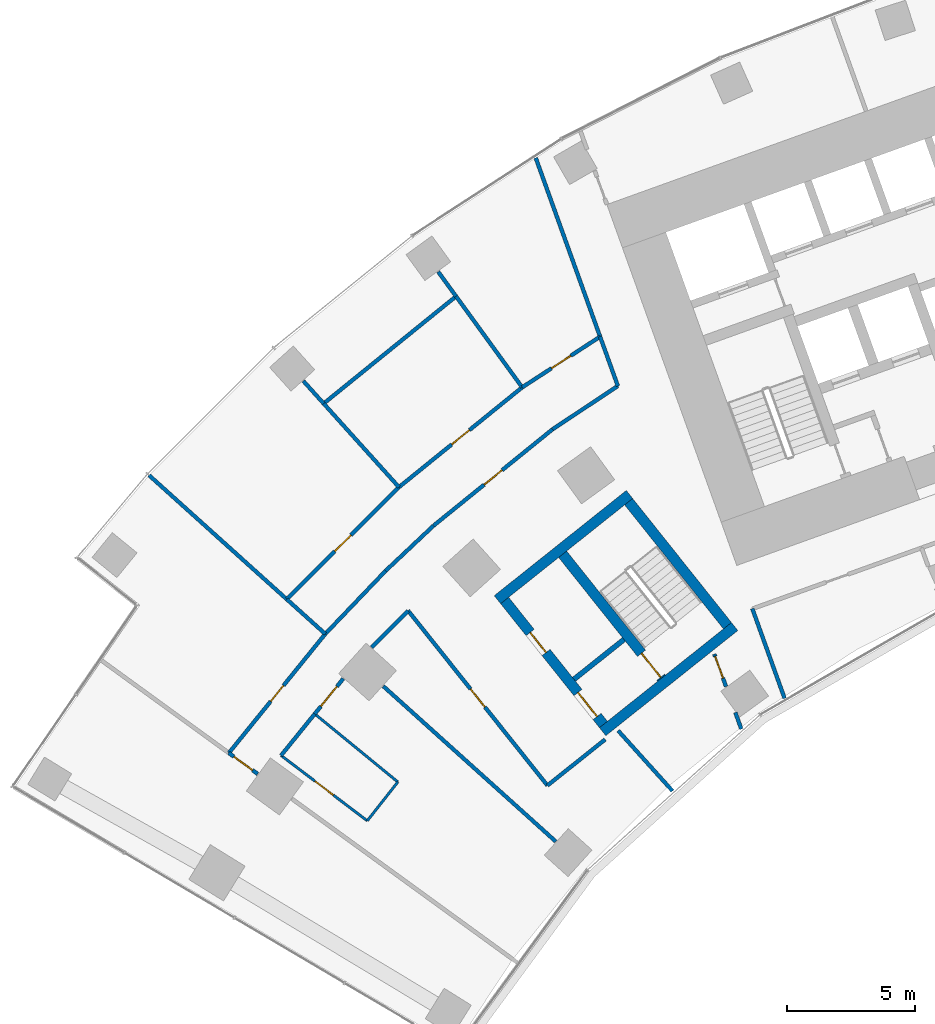
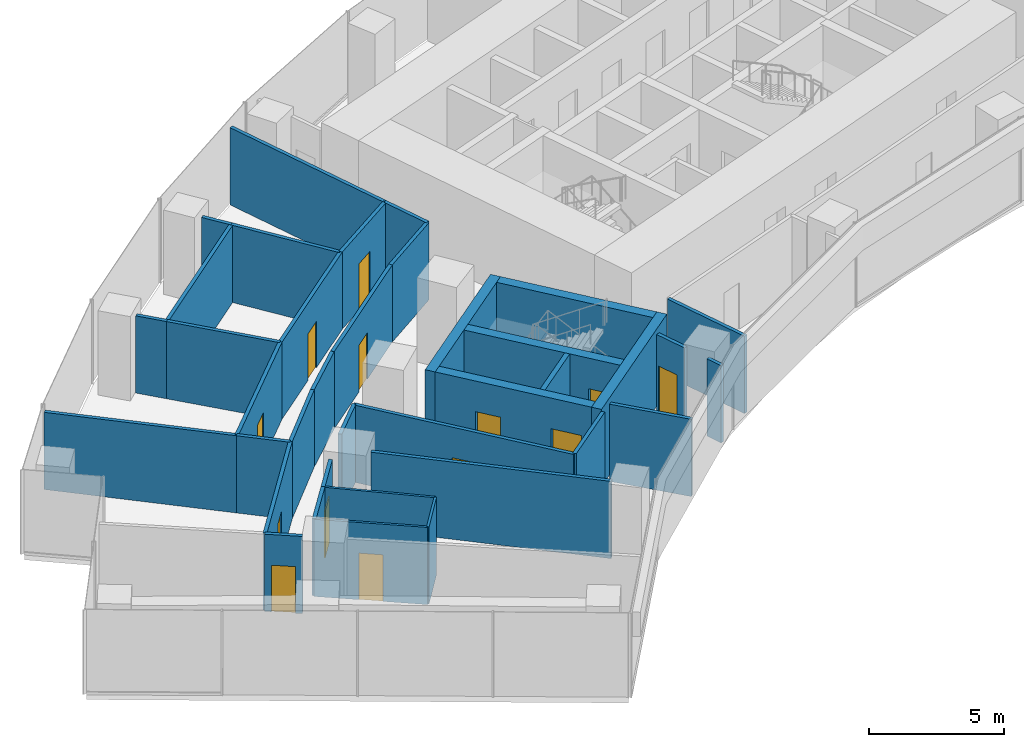
# One storey, part 14 of 21: 37 walls, 13 doors, 13 openings.
"""IFC4 building model written with IfcOpenShell, lengths in metres."""

from ifc_helpers import new_model, si_unit, direction, frame, frame_2d, origin, place, context, subcontext, project, spatial, rectangle, extrude, material, layer, layer_set, type_object, element, fill, save


model = new_model("IFC4")

# Units and contexts
model_context = context("Model", 3, precision=1e-05, world=origin(), true_north=direction((0.0, 1.0)))
body_context = subcontext(model_context, "Body", "Model", "MODEL_VIEW")
ifc_project = project(units=[si_unit("LENGTHUNIT", "METRE"), si_unit("AREAUNIT", "SQUARE_METRE"), si_unit("VOLUMEUNIT", "CUBIC_METRE"), si_unit("PLANEANGLEUNIT", "RADIAN"), si_unit("MASSUNIT", "GRAM", prefix="KILO")], contexts=[model_context])

# Site, building, storey
site_placement = place(None, origin())
site = spatial("IfcSite", under=ifc_project, at=site_placement, CompositionType="ELEMENT")
building_placement = place(site_placement, origin())
building = spatial("IfcBuilding", under=site, at=building_placement, Name="Stone Belt Terrace Tower", CompositionType="ELEMENT")
storey_placement = place(building_placement, frame((0.0, 0.0, 71.800048828125)))
storey = spatial("IfcBuildingStorey", under=building, at=storey_placement, Name="L17", CompositionType="ELEMENT", Elevation=71.800048828125)

# Wall, opening, door
ifc_material_1 = material(Name="Gypsum board partition")
ifc_layer_1 = layer(ifc_material_1, 0.10009765625)
ifc_layer_set_1 = layer_set([ifc_layer_1], Name="PARTITION 100")
wall_type_1 = type_object("IfcWallType", Name="PARTITION 100", PredefinedType="PARTITIONING", material=ifc_layer_set_1)
wall_1_placement = place(storey_placement, frame((-44.25390625, 33.5390625, 0.0), z_axis=(0.0, 0.0, 1.0), x_axis=(0.796975913628, -0.604011086899, 0.0)))
wall_1 = element("IfcWall", 1, at=wall_1_placement, inside=storey, type_object=wall_type_1, Name="L17/wall/i046", PredefinedType="PARTITIONING", context=body_context, shape_type="SweptSolid", body=[
    extrude(rectangle(XDim=4.228271484375, YDim=0.10009765625, at=frame_2d((2.1142578125, 0.0))), origin(), (0.0, 0.0, 1.0), 3.47998046875),
])
opening_1_placement = place(wall_1_placement, frame((1.664306640625, 0.0, 0.0)))
opening_1 = element("IfcOpeningElement", 2, at=opening_1_placement, cuts=wall_1, Name="Opening D-A5-13", PredefinedType="OPENING", context=body_context, shape_type="SweptSolid", body=[
    extrude(rectangle(XDim=0.89990234375, YDim=2.10009765625, at=frame_2d((0.449951171875, 1.050048828125))), frame((0.0, 0.06005859375, 0.0), z_axis=(0.0, -1.0, 0.0), x_axis=(1.0, 0.0, 0.0)), (0.0, 0.0, 1.0), 0.1201171875),
])
ifc_material_2 = material(Name="Timber door leaf", Category="wood")
door_type_1 = type_object("IfcDoorType", Name="OFFICE DOOR 900 X 2100", OperationType="NOTDEFINED", PredefinedType="DOOR", material=ifc_material_2)
door_1_placement = place(opening_1_placement, origin())
door_1 = element("IfcDoor", 3, at=door_1_placement, inside=storey, type_object=door_type_1, Name="L17/door/i13", OperationType="SINGLE_SWING_RIGHT", OverallHeight=2.10009765625, OverallWidth=0.89990234375, PredefinedType="DOOR", context=body_context, shape_type="SweptSolid", body=[
    extrude(rectangle(XDim=0.89990234375, YDim=2.10009765625, at=frame_2d((0.449951171875, 1.050048828125))), frame((0.0, 0.02490234375, 0.0), z_axis=(0.0, -1.0, 0.0), x_axis=(1.0, 0.0, 0.0)), (0.0, 0.0, 1.0), 0.050048828125),
])
fill(opening_1, door_1)

# Walls
wall_2_placement = place(storey_placement, frame((-40.884033203125, 30.985107421875, 0.0), z_axis=(0.0, 0.0, 1.0), x_axis=(0.618931278162, 0.785445143159, 0.0)))
element("IfcWall", 4, at=wall_2_placement, inside=storey, type_object=wall_type_1, Name="L17/wall/i047", PredefinedType="PARTITIONING", context=body_context, shape_type="SweptSolid", body=[
    extrude(rectangle(XDim=1.932373046875, YDim=0.10009765625, at=frame_2d((0.96630859375, 0.0))), origin(), (0.0, 0.0, 1.0), 3.47998046875),
])
wall_3_placement = place(storey_placement, frame((-39.68798828125, 32.5029296875, 0.0), z_axis=(0.0, 0.0, 1.0), x_axis=(-0.773605047101, 0.633668076441, 0.0)))
element("IfcWall", 5, at=wall_3_placement, inside=storey, type_object=wall_type_1, Name="L17/wall/i048", PredefinedType="PARTITIONING", context=body_context, shape_type="SweptSolid", body=[
    extrude(rectangle(XDim=4.201171875, YDim=0.10009765625, at=frame_2d((2.1005859375, 0.0))), origin(), (0.0, 0.0, 1.0), 3.47998046875),
])
ifc_layer_2 = layer(ifc_material_1, 0.14990234375)
ifc_layer_set_2 = layer_set([ifc_layer_2], Name="PARTITION 150 EI 60")
wall_type_2 = type_object("IfcWallType", Name="PARTITION 150 EI 60", PredefinedType="PARTITIONING", material=ifc_layer_set_2)
wall_4_placement = place(storey_placement, frame((-25.826904296875, 39.281005859375, 0.0), z_axis=(0.0, 0.0, 1.0), x_axis=(0.338392582605, -0.941005026574, 0.0)))
element("IfcWall", 6, at=wall_4_placement, inside=storey, type_object=wall_type_2, Name="L17/wall/i001", PredefinedType="PARTITIONING", context=body_context, shape_type="SweptSolid", body=[
    extrude(rectangle(XDim=3.729248046875, YDim=0.14990234375, at=frame_2d((1.86474609375, 0.0))), origin(), (0.0, 0.0, 1.0), 3.47998046875),
])
wall_5_placement = place(storey_placement, frame((-26.25732421875, 34.572021484375, 0.0), z_axis=(0.0, 0.0, 1.0), x_axis=(-0.338832657553, 0.940846656037, 0.0)))
element("IfcWall", 7, at=wall_5_placement, inside=storey, type_object=wall_type_2, Name="L17/wall/i004", PredefinedType="PARTITIONING", context=body_context, shape_type="SweptSolid", body=[
    extrude(rectangle(XDim=0.6875, YDim=0.14990234375, at=frame_2d((0.34375, 0.0))), origin(), (0.0, 0.0, 1.0), 3.47998046875),
])

# Wall, opening, door
wall_6_placement = place(storey_placement, frame((-26.85595703125, 36.234619140625, 0.0), z_axis=(0.0, 0.0, 1.0), x_axis=(-0.338828657155, 0.940848096714, 0.0)))
wall_6 = element("IfcWall", 8, at=wall_6_placement, inside=storey, type_object=wall_type_2, Name="L17/wall/i005", PredefinedType="PARTITIONING", context=body_context, shape_type="SweptSolid", body=[
    extrude(rectangle(XDim=1.345947265625, YDim=0.14990234375, at=frame_2d((0.6728515625, 0.0))), origin(), (0.0, 0.0, 1.0), 3.47998046875),
])
opening_2_placement = place(wall_6_placement, frame((0.3515625, 0.0, 0.0)))
opening_2 = element("IfcOpeningElement", 9, at=opening_2_placement, cuts=wall_6, Name="Opening D-A5-10", PredefinedType="OPENING", context=body_context, shape_type="SweptSolid", body=[
    extrude(rectangle(XDim=0.89990234375, YDim=2.10009765625, at=frame_2d((0.449951171875, 1.050048828125))), frame((0.0, 0.0849609375, 0.0), z_axis=(0.0, -1.0, 0.0), x_axis=(1.0, 0.0, 0.0)), (0.0, 0.0, 1.0), 0.169921875),
])
door_2_placement = place(opening_2_placement, origin())
door_2 = element("IfcDoor", 10, at=door_2_placement, inside=storey, type_object=door_type_1, Name="L17/door/i10", OperationType="SINGLE_SWING_RIGHT", OverallHeight=2.10009765625, OverallWidth=0.89990234375, PredefinedType="DOOR", context=body_context, shape_type="SweptSolid", body=[
    extrude(rectangle(XDim=0.89990234375, YDim=2.10009765625, at=frame_2d((0.449951171875, 1.050048828125))), frame((0.0, 0.02490234375, 0.0), z_axis=(0.0, -1.0, 0.0), x_axis=(1.0, 0.0, 0.0)), (0.0, 0.0, 1.0), 0.050048828125),
])
fill(opening_2, door_2)

# Walls
wall_7_placement = place(storey_placement, frame((-31.0830078125, 47.98193359375, 0.0), z_axis=(0.0, 0.0, 1.0), x_axis=(-0.338937449327, 0.940808910164, 0.0)))
element("IfcWall", 11, at=wall_7_placement, inside=storey, type_object=wall_type_2, Name="L17/wall/i006", PredefinedType="PARTITIONING", context=body_context, shape_type="SweptSolid", body=[
    extrude(rectangle(XDim=2.062255859375, YDim=0.14990234375, at=frame_2d((1.03125, 0.0))), origin(), (0.0, 0.0, 1.0), 3.47998046875),
])
wall_8_placement = place(storey_placement, frame((-31.778076171875, 49.909912109375, 0.0), z_axis=(0.0, 0.0, 1.0), x_axis=(-0.338711334353, 0.94089034004, 0.0)))
element("IfcWall", 12, at=wall_8_placement, inside=storey, type_object=wall_type_2, Name="L17/wall/i007", PredefinedType="PARTITIONING", context=body_context, shape_type="SweptSolid", body=[
    extrude(rectangle(XDim=7.43994140625, YDim=0.14990234375, at=frame_2d((3.719970703125, 0.0))), origin(), (0.0, 0.0, 1.0), 3.47998046875),
])

# Wall, opening, door
wall_9_placement = place(storey_placement, frame((-45.167236328125, 32.816162109375, 0.0), z_axis=(0.0, 0.0, 1.0), x_axis=(-0.809353623303, 0.587321643094, 0.0)))
wall_9 = element("IfcWall", 13, at=wall_9_placement, inside=storey, type_object=wall_type_2, Name="L17/wall/i031", PredefinedType="PARTITIONING", context=body_context, shape_type="SweptSolid", body=[
    extrude(rectangle(XDim=1.40087890625, YDim=0.14990234375, at=frame_2d((0.700439453125, 0.0))), origin(), (0.0, 0.0, 1.0), 3.47998046875),
])
opening_3_placement = place(wall_9_placement, frame((0.25048828125, 0.0, 0.0)))
opening_3 = element("IfcOpeningElement", 14, at=opening_3_placement, cuts=wall_9, Name="Opening D-A5-09", PredefinedType="OPENING", context=body_context, shape_type="SweptSolid", body=[
    extrude(rectangle(XDim=0.89990234375, YDim=2.10009765625, at=frame_2d((0.449951171875, 1.050048828125))), frame((0.0, 0.0849609375, 0.0), z_axis=(0.0, -1.0, 0.0), x_axis=(1.0, 0.0, 0.0)), (0.0, 0.0, 1.0), 0.169921875),
])
ifc_material_3 = material(Name="Timber fire door leaf", Category="wood")
door_type_2 = type_object("IfcDoorType", Name="TENANCY ENTRANCE DOOR 900 X 2100", OperationType="NOTDEFINED", PredefinedType="DOOR", material=ifc_material_3)
door_3_placement = place(opening_3_placement, origin())
door_3 = element("IfcDoor", 15, at=door_3_placement, inside=storey, type_object=door_type_2, Name="L17/door/i09", OperationType="SINGLE_SWING_RIGHT", OverallHeight=2.10009765625, OverallWidth=0.89990234375, PredefinedType="DOOR", context=body_context, shape_type="SweptSolid", body=[
    extrude(rectangle(XDim=0.89990234375, YDim=2.10009765625, at=frame_2d((0.449951171875, 1.050048828125))), frame((0.0, 0.02490234375, 0.0), z_axis=(0.0, -1.0, 0.0), x_axis=(1.0, 0.0, 0.0)), (0.0, 0.0, 1.0), 0.050048828125),
])
fill(opening_3, door_3)

# Wall
wall_10_placement = place(storey_placement, frame((-40.1640625, 40.761962890625, 0.0), z_axis=(0.0, 0.0, 1.0), x_axis=(0.727996599904, 0.685580739613, 0.0)))
element("IfcWall", 16, at=wall_10_placement, inside=storey, type_object=wall_type_2, Name="L17/wall/i034", PredefinedType="PARTITIONING", context=body_context, shape_type="SweptSolid", body=[
    extrude(rectangle(XDim=2.572998046875, YDim=0.14990234375, at=frame_2d((1.28662109375, 0.0))), origin(), (0.0, 0.0, 1.0), 3.47998046875),
])

# Wall, opening, door
wall_11_placement = place(storey_placement, frame((-38.2900390625, 42.527099609375, 0.0), z_axis=(0.0, 0.0, 1.0), x_axis=(0.77714422733, 0.629322532513, 0.0)))
wall_11 = element("IfcWall", 17, at=wall_11_placement, inside=storey, type_object=wall_type_2, Name="L17/wall/i035", PredefinedType="PARTITIONING", context=body_context, shape_type="SweptSolid", body=[
    extrude(rectangle(XDim=5.98876953125, YDim=0.14990234375, at=frame_2d((2.994384765625, 0.0))), origin(), (0.0, 0.0, 1.0), 3.47998046875),
])
opening_4_placement = place(wall_11_placement, frame((2.54443359375, 0.0, 0.0)))
opening_4 = element("IfcOpeningElement", 18, at=opening_4_placement, cuts=wall_11, Name="Opening D-A5-14", PredefinedType="OPENING", context=body_context, shape_type="SweptSolid", body=[
    extrude(rectangle(XDim=0.89990234375, YDim=2.10009765625, at=frame_2d((0.449951171875, 1.050048828125))), frame((0.0, 0.0849609375, 0.0), z_axis=(0.0, -1.0, 0.0), x_axis=(1.0, 0.0, 0.0)), (0.0, 0.0, 1.0), 0.169921875),
])
door_4_placement = place(opening_4_placement, origin())
door_4 = element("IfcDoor", 19, at=door_4_placement, inside=storey, type_object=door_type_1, Name="L17/door/i14", OperationType="SINGLE_SWING_RIGHT", OverallHeight=2.10009765625, OverallWidth=0.89990234375, PredefinedType="DOOR", context=body_context, shape_type="SweptSolid", body=[
    extrude(rectangle(XDim=0.89990234375, YDim=2.10009765625, at=frame_2d((0.449951171875, 1.050048828125))), frame((0.0, 0.02490234375, 0.0), z_axis=(0.0, -1.0, 0.0), x_axis=(1.0, 0.0, 0.0)), (0.0, 0.0, 1.0), 0.050048828125),
])
fill(opening_4, door_4)

# Walls
wall_12_placement = place(storey_placement, frame((-33.635986328125, 46.2958984375, 0.0), z_axis=(0.0, 0.0, 1.0), x_axis=(0.833385857539, 0.552691607005, 0.0)))
element("IfcWall", 20, at=wall_12_placement, inside=storey, type_object=wall_type_2, Name="L17/wall/i036", PredefinedType="PARTITIONING", context=body_context, shape_type="SweptSolid", body=[
    extrude(rectangle(XDim=3.059814453125, YDim=0.14990234375, at=frame_2d((1.52978515625, 0.0))), origin(), (0.0, 0.0, 1.0), 3.47998046875),
])
wall_13_placement = place(storey_placement, frame((-39.285888671875, 39.200927734375, 0.0), z_axis=(0.0, 0.0, 1.0), x_axis=(-0.707106781187, -0.707106781187, 0.0)))
element("IfcWall", 21, at=wall_13_placement, inside=storey, type_object=wall_type_2, Name="L17/wall/i037", PredefinedType="PARTITIONING", context=body_context, shape_type="SweptSolid", body=[
    extrude(rectangle(XDim=2.017333984375, YDim=0.14990234375, at=frame_2d((1.0087890625, 0.0))), origin(), (0.0, 0.0, 1.0), 3.47998046875),
])

# Wall, opening, door
wall_14_placement = place(storey_placement, frame((-41.82373046875, 36.541259765625, 0.0), z_axis=(0.0, 0.0, 1.0), x_axis=(-0.629174517186, -0.777264065118, 0.0)))
wall_14 = element("IfcWall", 22, at=wall_14_placement, inside=storey, type_object=wall_type_2, Name="L17/wall/i038", PredefinedType="PARTITIONING", context=body_context, shape_type="SweptSolid", body=[
    extrude(rectangle(XDim=1.777099609375, YDim=0.14990234375, at=frame_2d((0.888671875, 0.0))), origin(), (0.0, 0.0, 1.0), 3.47998046875),
])
opening_5_placement = place(wall_14_placement, frame((0.388671875, 0.0, 0.0)))
opening_5 = element("IfcOpeningElement", 23, at=opening_5_placement, cuts=wall_14, Name="Opening D-A5-12", PredefinedType="OPENING", context=body_context, shape_type="SweptSolid", body=[
    extrude(rectangle(XDim=1.0, YDim=2.10009765625, at=frame_2d((0.5, 1.050048828125))), frame((0.0, 0.0849609375, 0.0), z_axis=(0.0, -1.0, 0.0), x_axis=(1.0, 0.0, 0.0)), (0.0, 0.0, 1.0), 0.169921875),
])
door_type_3 = type_object("IfcDoorType", Name="TENANCY ENTRANCE DOOR 1000 X 2100", OperationType="NOTDEFINED", PredefinedType="DOOR", material=ifc_material_3)
door_5_placement = place(opening_5_placement, origin())
door_5 = element("IfcDoor", 24, at=door_5_placement, inside=storey, type_object=door_type_3, Name="L17/door/i12", OperationType="SINGLE_SWING_RIGHT", OverallHeight=2.10009765625, OverallWidth=1.0, PredefinedType="DOOR", context=body_context, shape_type="SweptSolid", body=[
    extrude(rectangle(XDim=1.0, YDim=2.10009765625, at=frame_2d((0.5, 1.050048828125))), frame((0.0, 0.02490234375, 0.0), z_axis=(0.0, -1.0, 0.0), x_axis=(1.0, 0.0, 0.0)), (0.0, 0.0, 1.0), 0.050048828125),
])
fill(opening_5, door_5)

# Walls
wall_15_placement = place(storey_placement, frame((-42.93408203125, 35.169921875, 0.0), z_axis=(0.0, 0.0, 1.0), x_axis=(-0.629311723451, -0.77715298026, 0.0)))
element("IfcWall", 25, at=wall_15_placement, inside=storey, type_object=wall_type_2, Name="L17/wall/i039", PredefinedType="PARTITIONING", context=body_context, shape_type="SweptSolid", body=[
    extrude(rectangle(XDim=2.103759765625, YDim=0.14990234375, at=frame_2d((1.0517578125, 0.0))), origin(), (0.0, 0.0, 1.0), 3.47998046875),
])
wall_16_placement = place(storey_placement, frame((-42.52587890625, 38.291015625, 0.0), z_axis=(0.0, 0.0, 1.0), x_axis=(0.690963131402, 0.722889999269, 0.0)))
element("IfcWall", 26, at=wall_16_placement, inside=storey, type_object=wall_type_2, Name="L17/wall/i040", PredefinedType="PARTITIONING", context=body_context, shape_type="SweptSolid", body=[
    extrude(rectangle(XDim=3.418212890625, YDim=0.14990234375, at=frame_2d((1.708984375, 0.0))), origin(), (0.0, 0.0, 1.0), 3.47998046875),
])

# Wall, opening, door
wall_17_placement = place(storey_placement, frame((-46.2958984375, 33.635986328125, 0.0), z_axis=(0.0, 0.0, 1.0), x_axis=(0.629322532513, 0.77714422733, 0.0)))
wall_17 = element("IfcWall", 27, at=wall_17_placement, inside=storey, type_object=wall_type_2, Name="L17/wall/i041", PredefinedType="PARTITIONING", context=body_context, shape_type="SweptSolid", body=[
    extrude(rectangle(XDim=5.98876953125, YDim=0.14990234375, at=frame_2d((2.994384765625, 0.0))), origin(), (0.0, 0.0, 1.0), 3.47998046875),
])
opening_6_placement = place(wall_17_placement, frame((2.594482421875, 0.0, 0.0)))
opening_6 = element("IfcOpeningElement", 28, at=opening_6_placement, cuts=wall_17, Name="Opening D-A5-18", PredefinedType="OPENING", context=body_context, shape_type="SweptSolid", body=[
    extrude(rectangle(XDim=0.800048828125, YDim=2.10009765625, at=frame_2d((0.39990234375, 1.050048828125))), frame((0.0, 0.0849609375, 0.0), z_axis=(0.0, -1.0, 0.0), x_axis=(1.0, 0.0, 0.0)), (0.0, 0.0, 1.0), 0.169921875),
])
door_type_4 = type_object("IfcDoorType", Name="STORE DOOR 800 X 2100", OperationType="NOTDEFINED", PredefinedType="DOOR", material=ifc_material_2)
door_6_placement = place(opening_6_placement, origin())
door_6 = element("IfcDoor", 29, at=door_6_placement, inside=storey, type_object=door_type_4, Name="L17/door/i18", OperationType="SINGLE_SWING_LEFT", OverallHeight=2.10009765625, OverallWidth=0.800048828125, PredefinedType="DOOR", context=body_context, shape_type="SweptSolid", body=[
    extrude(rectangle(XDim=0.800048828125, YDim=2.10009765625, at=frame_2d((0.39990234375, 1.050048828125))), frame((0.0, 0.02490234375, 0.0), z_axis=(0.0, -1.0, 0.0), x_axis=(1.0, 0.0, 0.0)), (0.0, 0.0, 1.0), 0.050048828125),
])
fill(opening_6, door_6)

# Wall
wall_18_placement = place(storey_placement, frame((-31.5810546875, 34.1650390625, 0.0), z_axis=(0.0, 0.0, 1.0), x_axis=(-0.782079504581, -0.623178665003, 0.0)))
element("IfcWall", 30, at=wall_18_placement, inside=storey, type_object=wall_type_2, Name="L17/wall/i042", PredefinedType="PARTITIONING", context=body_context, shape_type="SweptSolid", body=[
    extrude(rectangle(XDim=2.888427734375, YDim=0.14990234375, at=frame_2d((1.4443359375, 0.0))), origin(), (0.0, 0.0, 1.0), 3.47998046875),
])

# Wall, opening, door
wall_19_placement = place(storey_placement, frame((-33.840087890625, 32.364990234375, 0.0), z_axis=(0.0, 0.0, 1.0), x_axis=(-0.623151683061, 0.782101003643, 0.0)))
wall_19 = element("IfcWall", 31, at=wall_19_placement, inside=storey, type_object=wall_type_2, Name="L17/wall/i043", PredefinedType="PARTITIONING", context=body_context, shape_type="SweptSolid", body=[
    extrude(rectangle(XDim=8.745849609375, YDim=0.14990234375, at=frame_2d((4.373046875, 0.0))), origin(), (0.0, 0.0, 1.0), 3.47998046875),
])
opening_7_placement = place(wall_19_placement, frame((3.9228515625, 0.0, 0.0)))
opening_7 = element("IfcOpeningElement", 32, at=opening_7_placement, cuts=wall_19, Name="Opening D-A5-11", PredefinedType="OPENING", context=body_context, shape_type="SweptSolid", body=[
    extrude(rectangle(XDim=0.89990234375, YDim=2.10009765625, at=frame_2d((0.449951171875, 1.050048828125))), frame((0.0, 0.0849609375, 0.0), z_axis=(0.0, -1.0, 0.0), x_axis=(1.0, 0.0, 0.0)), (0.0, 0.0, 1.0), 0.169921875),
])
door_7_placement = place(opening_7_placement, origin())
door_7 = element("IfcDoor", 33, at=door_7_placement, inside=storey, type_object=door_type_1, Name="L17/door/i11", OperationType="SINGLE_SWING_RIGHT", OverallHeight=2.10009765625, OverallWidth=0.89990234375, PredefinedType="DOOR", context=body_context, shape_type="SweptSolid", body=[
    extrude(rectangle(XDim=0.89990234375, YDim=2.10009765625, at=frame_2d((0.449951171875, 1.050048828125))), frame((0.0, 0.02490234375, 0.0), z_axis=(0.0, -1.0, 0.0), x_axis=(1.0, 0.0, 0.0)), (0.0, 0.0, 1.0), 0.050048828125),
])
fill(opening_7, door_7)

# Walls
wall_20_placement = place(storey_placement, frame((-28.94775390625, 32.149658203125, 0.0), z_axis=(0.0, 0.0, 1.0), x_axis=(-0.669245279782, 0.74304155704, 0.0)))
element("IfcWall", 34, at=wall_20_placement, inside=storey, type_object=wall_type_2, Name="L17/wall/i044", PredefinedType="PARTITIONING", context=body_context, shape_type="SweptSolid", body=[
    extrude(rectangle(XDim=3.172607421875, YDim=0.14990234375, at=frame_2d((1.58642578125, 0.0))), origin(), (0.0, 0.0, 1.0), 3.47998046875),
])
wall_21_placement = place(storey_placement, frame((-33.515869140625, 30.177734375, 0.0), z_axis=(0.0, 0.0, 1.0), x_axis=(-0.743122805234, 0.669155061508, 0.0)))
element("IfcWall", 35, at=wall_21_placement, inside=storey, type_object=wall_type_2, Name="L17/wall/i045", PredefinedType="PARTITIONING", context=body_context, shape_type="SweptSolid", body=[
    extrude(rectangle(XDim=9.070068359375, YDim=0.14990234375, at=frame_2d((4.53515625, 0.0))), origin(), (0.0, 0.0, 1.0), 3.47998046875),
])

# Wall, opening, door
wall_22_placement = place(storey_placement, frame((-44.030029296875, 39.64599609375, 0.0), z_axis=(0.0, 0.0, 1.0), x_axis=(0.707106781187, 0.707106781187, 0.0)))
wall_22 = element("IfcWall", 36, at=wall_22_placement, inside=storey, type_object=wall_type_2, Name="L17/wall/i049", PredefinedType="PARTITIONING", context=body_context, shape_type="SweptSolid", body=[
    extrude(rectangle(XDim=6.201416015625, YDim=0.14990234375, at=frame_2d((3.1005859375, 0.0))), origin(), (0.0, 0.0, 1.0), 3.47998046875),
])
opening_8_placement = place(wall_22_placement, frame((2.650634765625, 0.0, 0.0)))
opening_8 = element("IfcOpeningElement", 37, at=opening_8_placement, cuts=wall_22, Name="Opening D-A5-15", PredefinedType="OPENING", context=body_context, shape_type="SweptSolid", body=[
    extrude(rectangle(XDim=0.89990234375, YDim=2.10009765625, at=frame_2d((0.449951171875, 1.050048828125))), frame((0.0, 0.0849609375, 0.0), z_axis=(0.0, -1.0, 0.0), x_axis=(1.0, 0.0, 0.0)), (0.0, 0.0, 1.0), 0.169921875),
])
door_8_placement = place(opening_8_placement, origin())
door_8 = element("IfcDoor", 38, at=door_8_placement, inside=storey, type_object=door_type_1, Name="L17/door/i15", OperationType="SINGLE_SWING_RIGHT", OverallHeight=2.10009765625, OverallWidth=0.89990234375, PredefinedType="DOOR", context=body_context, shape_type="SweptSolid", body=[
    extrude(rectangle(XDim=0.89990234375, YDim=2.10009765625, at=frame_2d((0.449951171875, 1.050048828125))), frame((0.0, 0.02490234375, 0.0), z_axis=(0.0, -1.0, 0.0), x_axis=(1.0, 0.0, 0.0)), (0.0, 0.0, 1.0), 0.050048828125),
])
fill(opening_8, door_8)

wall_23_placement = place(storey_placement, frame((-39.64501953125, 44.031005859375, 0.0), z_axis=(0.0, 0.0, 1.0), x_axis=(0.777094493267, 0.629383943658, 0.0)))
wall_23 = element("IfcWall", 39, at=wall_23_placement, inside=storey, type_object=wall_type_2, Name="L17/wall/i050", PredefinedType="PARTITIONING", context=body_context, shape_type="SweptSolid", body=[
    extrude(rectangle(XDim=6.201416015625, YDim=0.14990234375, at=frame_2d((3.1005859375, 0.0))), origin(), (0.0, 0.0, 1.0), 3.47998046875),
])
opening_9_placement = place(wall_23_placement, frame((2.650634765625, 0.0, 0.0)))
opening_9 = element("IfcOpeningElement", 40, at=opening_9_placement, cuts=wall_23, Name="Opening D-A5-16", PredefinedType="OPENING", context=body_context, shape_type="SweptSolid", body=[
    extrude(rectangle(XDim=0.89990234375, YDim=2.10009765625, at=frame_2d((0.449951171875, 1.050048828125))), frame((0.0, 0.0849609375, 0.0), z_axis=(0.0, -1.0, 0.0), x_axis=(1.0, 0.0, 0.0)), (0.0, 0.0, 1.0), 0.169921875),
])
door_9_placement = place(opening_9_placement, origin())
door_9 = element("IfcDoor", 41, at=door_9_placement, inside=storey, type_object=door_type_1, Name="L17/door/i16", OperationType="SINGLE_SWING_RIGHT", OverallHeight=2.10009765625, OverallWidth=0.89990234375, PredefinedType="DOOR", context=body_context, shape_type="SweptSolid", body=[
    extrude(rectangle(XDim=0.89990234375, YDim=2.10009765625, at=frame_2d((0.449951171875, 1.050048828125))), frame((0.0, 0.02490234375, 0.0), z_axis=(0.0, -1.0, 0.0), x_axis=(1.0, 0.0, 0.0)), (0.0, 0.0, 1.0), 0.050048828125),
])
fill(opening_9, door_9)

wall_24_placement = place(storey_placement, frame((-34.825927734375, 47.93408203125, 0.0), z_axis=(0.0, 0.0, 1.0), x_axis=(0.838179507416, 0.545394456653, 0.0)))
wall_24 = element("IfcWall", 42, at=wall_24_placement, inside=storey, type_object=wall_type_2, Name="L17/wall/i051", PredefinedType="PARTITIONING", context=body_context, shape_type="SweptSolid", body=[
    extrude(rectangle(XDim=3.634033203125, YDim=0.14990234375, at=frame_2d((1.81689453125, 0.0))), origin(), (0.0, 0.0, 1.0), 3.47998046875),
])
opening_10_placement = place(wall_24_placement, frame((1.366943359375, 0.0, 0.0)))
opening_10 = element("IfcOpeningElement", 43, at=opening_10_placement, cuts=wall_24, Name="Opening D-A5-17", PredefinedType="OPENING", context=body_context, shape_type="SweptSolid", body=[
    extrude(rectangle(XDim=0.89990234375, YDim=2.10009765625, at=frame_2d((0.449951171875, 1.050048828125))), frame((0.0, 0.0849609375, 0.0), z_axis=(0.0, -1.0, 0.0), x_axis=(1.0, 0.0, 0.0)), (0.0, 0.0, 1.0), 0.169921875),
])
door_10_placement = place(opening_10_placement, origin())
door_10 = element("IfcDoor", 44, at=door_10_placement, inside=storey, type_object=door_type_1, Name="L17/door/i17", OperationType="SINGLE_SWING_RIGHT", OverallHeight=2.10009765625, OverallWidth=0.89990234375, PredefinedType="DOOR", context=body_context, shape_type="SweptSolid", body=[
    extrude(rectangle(XDim=0.89990234375, YDim=2.10009765625, at=frame_2d((0.449951171875, 1.050048828125))), frame((0.0, 0.02490234375, 0.0), z_axis=(0.0, -1.0, 0.0), x_axis=(1.0, 0.0, 0.0)), (0.0, 0.0, 1.0), 0.050048828125),
])
fill(opening_10, door_10)

# Walls
wall_25_placement = place(storey_placement, frame((-42.52587890625, 38.291015625, 0.0), z_axis=(0.0, 0.0, 1.0), x_axis=(-0.742988249307, 0.669304460908, 0.0)))
element("IfcWall", 45, at=wall_25_placement, inside=storey, type_object=wall_type_2, Name="L17/wall/i052", PredefinedType="PARTITIONING", context=body_context, shape_type="SweptSolid", body=[
    extrude(rectangle(XDim=2.0244140625, YDim=0.14990234375, at=frame_2d((1.01220703125, 0.0))), origin(), (0.0, 0.0, 1.0), 3.47998046875),
])
wall_26_placement = place(storey_placement, frame((-42.593017578125, 47.304931640625, 0.0), z_axis=(0.0, 0.0, 1.0), x_axis=(0.669148410698, -0.743128793992, 0.0)))
element("IfcWall", 46, at=wall_26_placement, inside=storey, type_object=wall_type_2, Name="L17/wall/i053", PredefinedType="PARTITIONING", context=body_context, shape_type="SweptSolid", body=[
    extrude(rectangle(XDim=4.405517578125, YDim=0.14990234375, at=frame_2d((2.20263671875, 0.0))), origin(), (0.0, 0.0, 1.0), 3.47998046875),
])
wall_27_placement = place(storey_placement, frame((-43.382080078125, 48.18115234375, 0.0), z_axis=(0.0, 0.0, 1.0), x_axis=(0.669145878726, -0.743131073892, 0.0)))
element("IfcWall", 47, at=wall_27_placement, inside=storey, type_object=wall_type_2, Name="L17/wall/i054", PredefinedType="PARTITIONING", context=body_context, shape_type="SweptSolid", body=[
    extrude(rectangle(XDim=1.191162109375, YDim=0.14990234375, at=frame_2d((0.595703125, 0.0))), origin(), (0.0, 0.0, 1.0), 3.47998046875),
])
wall_28_placement = place(storey_placement, frame((-44.030029296875, 39.64599609375, 0.0), z_axis=(0.0, 0.0, 1.0), x_axis=(-0.74319367285, 0.669076351874, 0.0)))
element("IfcWall", 48, at=wall_28_placement, inside=storey, type_object=wall_type_2, Name="L17/wall/i055", PredefinedType="PARTITIONING", context=body_context, shape_type="SweptSolid", body=[
    extrude(rectangle(XDim=7.25, YDim=0.14990234375, at=frame_2d((3.625, 0.0))), origin(), (0.0, 0.0, 1.0), 3.47998046875),
])
wall_29_placement = place(storey_placement, frame((-42.589111328125, 47.301025390625, 0.0), z_axis=(0.0, 0.0, 1.0), x_axis=(0.777172317777, 0.629287842312, 0.0)))
element("IfcWall", 49, at=wall_29_placement, inside=storey, type_object=wall_type_2, Name="L17/wall/i056", PredefinedType="PARTITIONING", context=body_context, shape_type="SweptSolid", body=[
    extrude(rectangle(XDim=6.661376953125, YDim=0.14990234375, at=frame_2d((3.33056640625, 0.0))), origin(), (0.0, 0.0, 1.0), 3.47998046875),
])
wall_30_placement = place(storey_placement, frame((-37.412109375, 51.492919921875, 0.0), z_axis=(0.0, 0.0, 1.0), x_axis=(0.58786477972, -0.808959208344, 0.0)))
element("IfcWall", 50, at=wall_30_placement, inside=storey, type_object=wall_type_2, Name="L17/wall/i057", PredefinedType="PARTITIONING", context=body_context, shape_type="SweptSolid", body=[
    extrude(rectangle(XDim=4.399169921875, YDim=0.14990234375, at=frame_2d((2.19970703125, 0.0))), origin(), (0.0, 0.0, 1.0), 3.47998046875),
])
wall_31_placement = place(storey_placement, frame((-38.1083984375, 52.45166015625, 0.0), z_axis=(0.0, 0.0, 1.0), x_axis=(0.587632515929, -0.809127941813, 0.0)))
element("IfcWall", 51, at=wall_31_placement, inside=storey, type_object=wall_type_2, Name="L17/wall/i058", PredefinedType="PARTITIONING", context=body_context, shape_type="SweptSolid", body=[
    extrude(rectangle(XDim=1.184814453125, YDim=0.14990234375, at=frame_2d((0.59228515625, 0.0))), origin(), (0.0, 0.0, 1.0), 3.47998046875),
])
ifc_material_4 = material(Name="Concrete masonry block", Category="masonry")
ifc_layer_3 = layer(ifc_material_4, 0.199951171875)
ifc_layer_set_3 = layer_set([ifc_layer_3], Name="Rated lobby wall 200")
wall_type_3 = type_object("IfcWallType", Name="Rated lobby wall 200", PredefinedType="PARTITIONING", material=ifc_layer_set_3)
wall_32_placement = place(storey_placement, frame((-30.845703125, 38.074951171875, 0.0), z_axis=(0.0, 0.0, 1.0), x_axis=(-0.782115323833, -0.623133709749, 0.0)))
element("IfcWall", 52, at=wall_32_placement, inside=storey, type_object=wall_type_3, Name="Exit stair ST3A wall", PredefinedType="PARTITIONING", context=body_context, shape_type="SweptSolid", body=[
    extrude(rectangle(XDim=2.5, YDim=0.199951171875, at=frame_2d((1.25, 0.0))), origin(), (0.0, 0.0, 1.0), 3.47998046875),
])
ifc_material_5 = material(Name="Concrete B80", Category="concrete")
ifc_layer_4 = layer(ifc_material_5, 0.39990234375)
ifc_layer_set_4 = layer_set([ifc_layer_4], Name="Stair enclosure wall 400")
wall_type_4 = type_object("IfcWallType", Name="Stair enclosure wall 400", PredefinedType="SHEAR", material=ifc_layer_set_4)
for number, where, z_axis, x_axis, name in (
    (53, (-26.518798828125, 38.58154296875, 0.0), (0.0, 0.0, 1.0), (-0.782133914161, -0.623110375711, 0.0), "Exit stair ST3A wall"),
    (54, (-30.63134765625, 43.74365234375, 0.0), (0.0, 0.0, 1.0), (-0.782133914161, -0.623110375711, 0.0), "Exit stair ST3A wall"),
):
    element("IfcWall", number, at=place(storey_placement, frame(where, z_axis=z_axis, x_axis=x_axis)), inside=storey, type_object=wall_type_4, Name=name, PredefinedType="SHEAR", context=body_context, shape_type="SweptSolid", body=[
        extrude(rectangle(XDim=6.60009765625, YDim=0.39990234375, at=frame_2d((3.300048828125, 0.0))), origin(), (0.0, 0.0, 1.0), 3.47998046875),
    ])
wall_33_placement = place(storey_placement, frame((-26.7998046875, 38.61328125, 0.0), z_axis=(0.0, 0.0, 1.0), x_axis=(-0.623118653668, 0.782127319208, 0.0)))
element("IfcWall", 55, at=wall_33_placement, inside=storey, type_object=wall_type_4, Name="Exit stair ST3A wall", PredefinedType="SHEAR", context=body_context, shape_type="SweptSolid", body=[
    extrude(rectangle(XDim=6.199951171875, YDim=0.39990234375, at=frame_2d((3.10009765625, 0.0))), origin(), (0.0, 0.0, 1.0), 3.47998046875),
])

# Wall, openings, doors
wall_34_placement = place(storey_placement, frame((-31.64892578125, 34.75, 0.0), z_axis=(0.0, 0.0, 1.0), x_axis=(-0.623118653668, 0.782127319208, 0.0)))
wall_34 = element("IfcWall", 56, at=wall_34_placement, inside=storey, type_object=wall_type_4, Name="Exit stair ST3A wall", PredefinedType="SHEAR", context=body_context, shape_type="SweptSolid", body=[
    extrude(rectangle(XDim=6.199951171875, YDim=0.39990234375, at=frame_2d((3.10009765625, 0.0))), origin(), (0.0, 0.0, 1.0), 3.47998046875),
])
opening_11_placement = place(wall_34_placement, frame((0.39990234375, 0.0, 0.0)))
opening_11 = element("IfcOpeningElement", 57, at=opening_11_placement, cuts=wall_34, Name="Opening L17-C20", PredefinedType="OPENING", context=body_context, shape_type="SweptSolid", body=[
    extrude(rectangle(XDim=1.199951171875, YDim=2.10009765625, at=frame_2d((0.60009765625, 1.050048828125))), frame((0.0, 0.2099609375, 0.0), z_axis=(0.0, -1.0, 0.0), x_axis=(1.0, 0.0, 0.0)), (0.0, 0.0, 1.0), 0.419921875),
])
opening_12_placement = place(wall_34_placement, frame((3.60009765625, 0.0, 0.0)))
opening_12 = element("IfcOpeningElement", 58, at=opening_12_placement, cuts=wall_34, Name="Opening L17-C21", PredefinedType="OPENING", context=body_context, shape_type="SweptSolid", body=[
    extrude(rectangle(XDim=1.0, YDim=2.10009765625, at=frame_2d((0.5, 1.050048828125))), frame((0.0, 0.2099609375, 0.0), z_axis=(0.0, -1.0, 0.0), x_axis=(1.0, 0.0, 0.0)), (0.0, 0.0, 1.0), 0.419921875),
])
door_type_5 = type_object("IfcDoorType", Name="Core room door 1000", OperationType="SINGLE_SWING_LEFT", PredefinedType="DOOR", material=ifc_material_2)
door_11_placement = place(opening_12_placement, origin())
door_11 = element("IfcDoor", 59, at=door_11_placement, inside=storey, type_object=door_type_5, Name="Door to stair pressurisation plant room ST3A", OperationType="SINGLE_SWING_RIGHT", OverallHeight=2.10009765625, OverallWidth=1.0, PredefinedType="DOOR", context=body_context, shape_type="SweptSolid", body=[
    extrude(rectangle(XDim=1.0, YDim=2.10009765625, at=frame_2d((0.5, 1.050048828125))), frame((0.0, 0.02490234375, 0.0), z_axis=(0.0, -1.0, 0.0), x_axis=(1.0, 0.0, 0.0)), (0.0, 0.0, 1.0), 0.050048828125),
])
fill(opening_12, door_11)
ifc_material_6 = material(Name="Steel door leaf", Category="steel")
door_type_6 = type_object("IfcDoorType", Name="Stair airlock door 1200", OperationType="SINGLE_SWING_LEFT", PredefinedType="DOOR", material=ifc_material_6)
door_12_placement = place(opening_11_placement, origin())
door_12 = element("IfcDoor", 60, at=door_12_placement, inside=storey, type_object=door_type_6, Name="Stair airlock door ST3A", OperationType="SINGLE_SWING_RIGHT", OverallHeight=2.10009765625, OverallWidth=1.199951171875, PredefinedType="DOOR", context=body_context, shape_type="SweptSolid", body=[
    extrude(rectangle(XDim=1.199951171875, YDim=2.10009765625, at=frame_2d((0.60009765625, 1.050048828125))), frame((0.0, 0.02490234375, 0.0), z_axis=(0.0, -1.0, 0.0), x_axis=(1.0, 0.0, 0.0)), (0.0, 0.0, 1.0), 0.050048828125),
])
fill(opening_11, door_12)

# Wall, opening, door
wall_35_placement = place(storey_placement, frame((-29.380859375, 36.556884765625, 0.0), z_axis=(0.0, 0.0, 1.0), x_axis=(-0.623099462847, 0.782142608097, 0.0)))
wall_35 = element("IfcWall", 61, at=wall_35_placement, inside=storey, type_object=wall_type_4, Name="Exit stair ST3A wall", PredefinedType="SHEAR", context=body_context, shape_type="SweptSolid", body=[
    extrude(rectangle(XDim=6.2001953125, YDim=0.39990234375, at=frame_2d((3.10009765625, 0.0))), origin(), (0.0, 0.0, 1.0), 3.47998046875),
])
opening_13_placement = place(wall_35_placement, frame((0.050048828125, 0.0, 0.0)))
opening_13 = element("IfcOpeningElement", 62, at=opening_13_placement, cuts=wall_35, Name="Opening L17-C19", PredefinedType="OPENING", context=body_context, shape_type="SweptSolid", body=[
    extrude(rectangle(XDim=1.199951171875, YDim=2.10009765625, at=frame_2d((0.60009765625, 1.050048828125))), frame((0.0, 0.2099609375, 0.0), z_axis=(0.0, -1.0, 0.0), x_axis=(1.0, 0.0, 0.0)), (0.0, 0.0, 1.0), 0.419921875),
])
door_type_7 = type_object("IfcDoorType", Name="Stair door 1200", OperationType="SINGLE_SWING_LEFT", PredefinedType="DOOR", material=ifc_material_6)
door_13_placement = place(opening_13_placement, origin())
door_13 = element("IfcDoor", 63, at=door_13_placement, inside=storey, type_object=door_type_7, Name="Stair door ST3A", OperationType="SINGLE_SWING_LEFT", OverallHeight=2.10009765625, OverallWidth=1.199951171875, PredefinedType="DOOR", context=body_context, shape_type="SweptSolid", body=[
    extrude(rectangle(XDim=1.199951171875, YDim=2.10009765625, at=frame_2d((0.60009765625, 1.050048828125))), frame((0.0, 0.02490234375, 0.0), z_axis=(0.0, -1.0, 0.0), x_axis=(1.0, 0.0, 0.0)), (0.0, 0.0, 1.0), 0.050048828125),
])
fill(opening_13, door_13)

save(model, "model.ifc")
